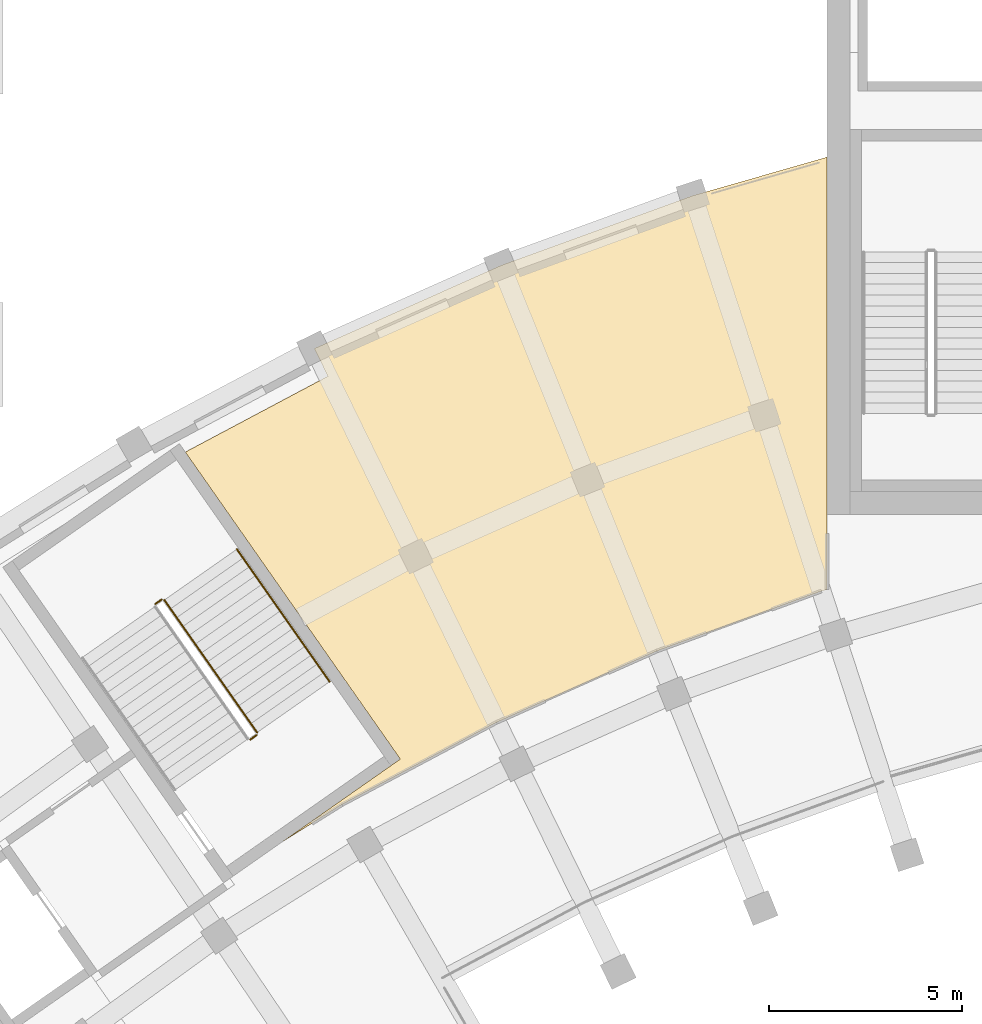
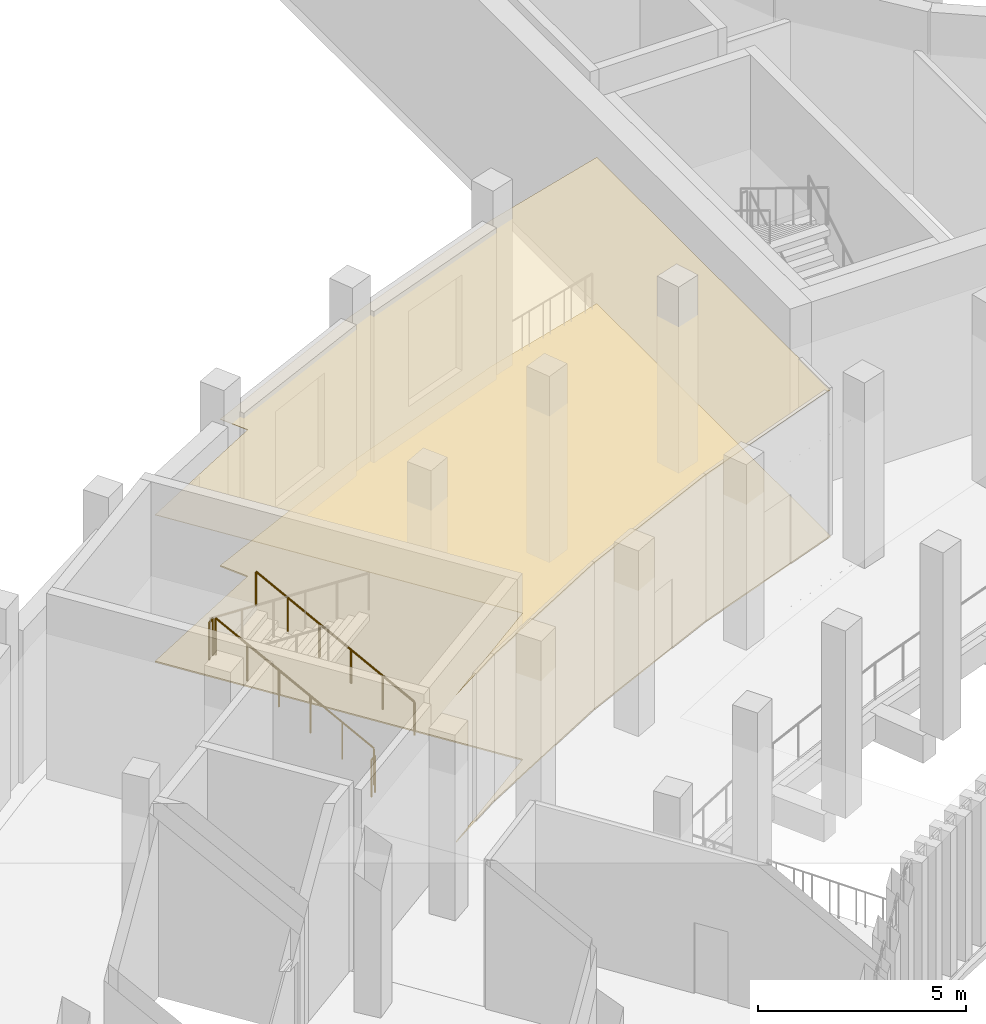
# One storey, part 81 of 112: 4 railings, 2 coverings.
"""IFC4 building model written with IfcOpenShell, lengths in metres."""

from ifc_helpers import new_model, si_unit, direction, frame, origin, origin_2d, place, context, subcontext, project, spatial, polyline, circle, outline, extrude, material, layer, layer_set, type_object, element, save


model = new_model("IFC4")

# Units and contexts
model_context = context("Model", 3, precision=1e-05, world=origin(), true_north=direction((0.0, 1.0)))
body_context = subcontext(model_context, "Body", "Model", "MODEL_VIEW")
ifc_project = project(units=[si_unit("LENGTHUNIT", "METRE"), si_unit("AREAUNIT", "SQUARE_METRE"), si_unit("VOLUMEUNIT", "CUBIC_METRE"), si_unit("PLANEANGLEUNIT", "RADIAN"), si_unit("MASSUNIT", "GRAM", prefix="KILO")], contexts=[model_context])

# Site, building, storey
site_placement = place(None, origin())
site = spatial("IfcSite", under=ifc_project, at=site_placement, CompositionType="ELEMENT")
building_placement = place(site_placement, origin())
building = spatial("IfcBuilding", under=site, at=building_placement, Name="Lunette Opera House", CompositionType="ELEMENT")
storey_placement = place(building_placement, frame((0.0, 0.0, 6.0)))
storey = spatial("IfcBuildingStorey", under=building, at=storey_placement, Name="L01", CompositionType="ELEMENT", Elevation=6.0)

# Railings
ifc_material_1 = material(Name="Steel S355", Category="steel")
railing_type_1 = type_object("IfcRailingType", Name="STAIR GUARD 1100", PredefinedType="GUARDRAIL", material=ifc_material_1)
railing_1_placement = place(storey_placement, frame((61.195068359375, 58.3369140625, 0.171875)))
element("IfcRailing", 1, at=railing_1_placement, inside=storey, type_object=railing_type_1, Name="L01 ST2 stair guard 1", PredefinedType="GUARDRAIL", context=body_context, shape_type="SweptSolid", body=[
    extrude(circle(Radius=0.02392578125, at=origin_2d()), frame((0.0, 0.0, 1.076171875), z_axis=(-0.488760814363, 0.698166040625, 0.523141516285), x_axis=(-0.819207341873, -0.573497455114, 0.0)), (0.0, 0.0, 1.0), 4.92822265625),
    extrude(circle(Radius=0.02099609375, at=origin_2d()), origin(), (0.0, 0.0, 1.0), 1.052001953125),
    extrude(circle(Radius=0.02099609375, at=origin_2d()), frame((-0.481689453125, 0.688232421875, 0.515625)), (0.0, 0.0, 1.0), 1.052001953125),
    extrude(circle(Radius=0.02099609375, at=origin_2d()), frame((-0.96337890625, 1.376220703125, 1.03125)), (0.0, 0.0, 1.0), 1.052001953125),
    extrude(circle(Radius=0.02099609375, at=origin_2d()), frame((-1.4453125, 2.064453125, 1.546875)), (0.0, 0.0, 1.0), 1.052001953125),
    extrude(circle(Radius=0.02099609375, at=origin_2d()), frame((-1.927001953125, 2.75244140625, 2.0625)), (0.0, 0.0, 1.0), 1.052001953125),
    extrude(circle(Radius=0.02099609375, at=origin_2d()), frame((-2.40869140625, 3.440673828125, 2.578125)), (0.0, 0.0, 1.0), 1.052001953125),
])
for number, where, name in (
    (2, (58.716552734375, 61.789794921875, 2.75), "L01 ST2 stair guard 2"),
    (3, (61.1826171875, 58.267333984375, 0.0), "L01 ST2 stair guard 4"),
):
    element("IfcRailing", number, at=place(storey_placement, frame(where)), inside=storey, type_object=railing_type_1, Name=name, PredefinedType="GUARDRAIL", context=body_context, shape_type="SweptSolid", body=[
        extrude(circle(Radius=0.02392578125, at=origin_2d()), frame((0.0, 0.0, 1.076171875), z_axis=(-0.819289108261, -0.573380638917, 0.0), x_axis=(0.573380638917, -0.819289108261, 0.0)), (0.0, 0.0, 1.0), 0.200439453125),
        extrude(circle(Radius=0.02099609375, at=origin_2d()), origin(), (0.0, 0.0, 1.0), 1.052001953125),
        extrude(circle(Radius=0.02099609375, at=origin_2d()), frame((-0.164306640625, -0.114990234375, 0.0)), (0.0, 0.0, 1.0), 1.052001953125),
    ])
ifc_material_2 = material(Name="Steel S355", Category="steel")
railing_type_2 = type_object("IfcRailingType", Name="STAIR HANDRAIL 1000", PredefinedType="HANDRAIL", material=ifc_material_2)
railing_2_placement = place(storey_placement, frame((63.0791015625, 59.656005859375, 0.171875)))
element("IfcRailing", 4, at=railing_2_placement, inside=storey, type_object=railing_type_2, Name="L01 ST2 stair handrail 1", PredefinedType="HANDRAIL", context=body_context, shape_type="SweptSolid", body=[
    extrude(circle(Radius=0.02392578125, at=origin_2d()), frame((0.0, 0.0, 0.97607421875), z_axis=(-0.488760814363, 0.698166040625, 0.523141516285), x_axis=(-0.819207341873, -0.573497455114, 0.0)), (0.0, 0.0, 1.0), 4.92822265625),
    extrude(circle(Radius=0.02099609375, at=origin_2d()), origin(), (0.0, 0.0, 1.0), 0.951904296875),
    extrude(circle(Radius=0.02099609375, at=origin_2d()), frame((-0.481689453125, 0.688232421875, 0.515625)), (0.0, 0.0, 1.0), 0.951904296875),
    extrude(circle(Radius=0.02099609375, at=origin_2d()), frame((-0.96337890625, 1.376220703125, 1.03125)), (0.0, 0.0, 1.0), 0.951904296875),
    extrude(circle(Radius=0.02099609375, at=origin_2d()), frame((-1.4453125, 2.064453125, 1.546875)), (0.0, 0.0, 1.0), 0.951904296875),
    extrude(circle(Radius=0.02099609375, at=origin_2d()), frame((-1.927001953125, 2.75244140625, 2.0625)), (0.0, 0.0, 1.0), 0.951904296875),
    extrude(circle(Radius=0.02099609375, at=origin_2d()), frame((-2.40869140625, 3.440673828125, 2.578125)), (0.0, 0.0, 1.0), 0.951904296875),
])

# Coverings
ifc_material_3 = material(Name="Mineral fibre board")
ifc_layer_1 = layer(ifc_material_3, 0.014892578125)
ifc_layer_set_1 = layer_set([ifc_layer_1], Name="Mineral fibre board")
covering_type_1 = type_object("IfcCoveringType", Name="SUSPENDED ACOUSTIC CEILING 15", PredefinedType="CEILING", material=ifc_layer_set_1)
covering_1_placement = place(storey_placement, frame((0.0, 0.0, 4.31494140625)))
element("IfcCovering", 5, at=covering_1_placement, inside=storey, type_object=covering_type_1, Name="Ceiling Management Rooms", PredefinedType="CEILING", context=body_context, shape_type="SweptSolid", body=[
    extrude(outline(polyline([(62.68408203125, 68.30810546875), (67.530029296875, 70.466064453125), (72.514892578125, 72.280029296875), (76.0, 73.280029296875), (76.0, 64.0), (76.0, 62.051025390625), (75.85205078125, 62.009033203125), (71.575927734375, 60.451904296875), (67.41796875, 58.60107421875), (63.39990234375, 56.465087890625), (61.80810546875, 55.469970703125), (64.9140625, 57.64501953125), (59.3310546875, 65.6201171875), (63.033935546875, 67.589111328125), (62.68408203125, 68.30810546875)])), origin(), (0.0, 0.0, 1.0), 0.01513671875),
])
ifc_material_4 = material(Name="Timber", Category="wood")
ifc_layer_2 = layer(ifc_material_4, 0.0400390625)
ifc_layer_set_2 = layer_set([ifc_layer_2], Name="Timber")
covering_type_2 = type_object("IfcCoveringType", Name="TIMBER FLOOR FINISH 40", PredefinedType="FLOORING", material=ifc_layer_set_2)
covering_2_placement = place(storey_placement, origin())
element("IfcCovering", 6, at=covering_2_placement, inside=storey, type_object=covering_type_2, Name="Floor finish Management Rooms", PredefinedType="FLOORING", context=body_context, shape_type="SweptSolid", body=[
    extrude(outline(polyline([(62.68408203125, 68.30810546875), (67.530029296875, 70.466064453125), (72.514892578125, 72.280029296875), (76.0, 73.280029296875), (76.0, 64.0), (76.0, 62.051025390625), (75.85205078125, 62.009033203125), (71.575927734375, 60.451904296875), (67.41796875, 58.60107421875), (63.39990234375, 56.465087890625), (61.80810546875, 55.469970703125), (64.9140625, 57.64501953125), (59.3310546875, 65.6201171875), (63.033935546875, 67.589111328125), (62.68408203125, 68.30810546875)])), origin(), (0.0, 0.0, 1.0), 0.0400390625),
])

save(model, "model.ifc")
